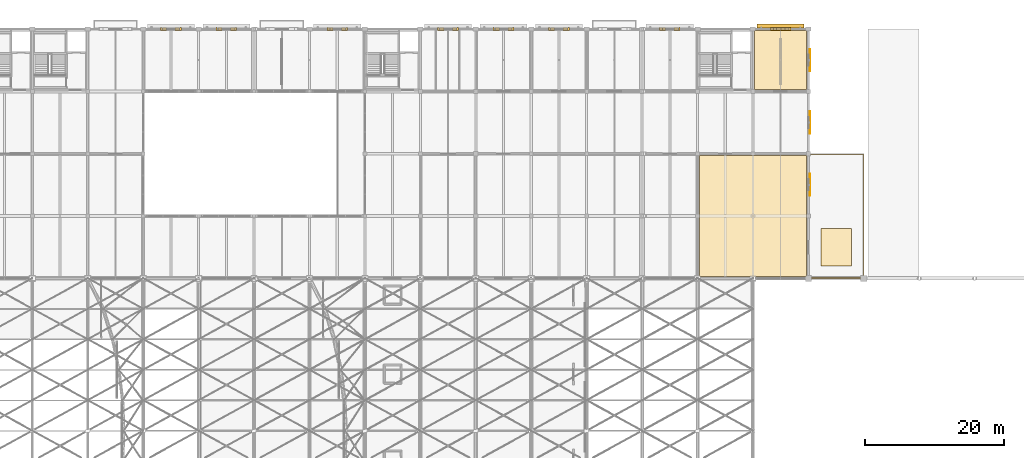
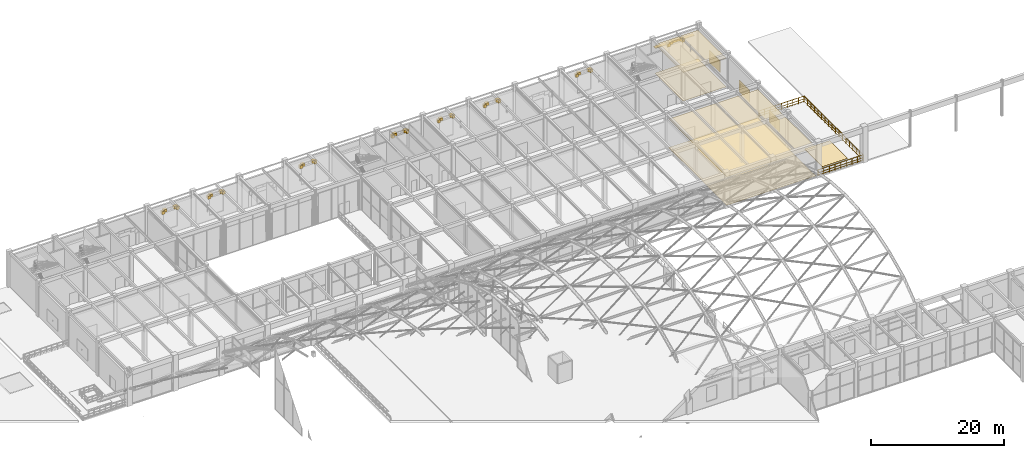
# One storey, part 163 of 163: 39 coverings, 4 shading devices, 1 railing.
"""IFC4 building model written with IfcOpenShell, lengths in metres."""

from ifc_helpers import new_model, si_unit, direction, frame, origin, origin_2d, place, context, subcontext, project, spatial, polyline, rectangle, circle, outline, extrude, material, layer, layer_set, type_object, element, save


model = new_model("IFC4")

# Units and contexts
model_context = context("Model", 3, precision=1e-05, world=origin(), true_north=direction((0.0, 1.0)))
body_context = subcontext(model_context, "Body", "Model", "MODEL_VIEW")
ifc_project = project(units=[si_unit("LENGTHUNIT", "METRE"), si_unit("AREAUNIT", "SQUARE_METRE"), si_unit("VOLUMEUNIT", "CUBIC_METRE"), si_unit("PLANEANGLEUNIT", "RADIAN"), si_unit("MASSUNIT", "GRAM", prefix="KILO")], contexts=[model_context])

# Site, building, storey
site_placement = place(None, origin())
site = spatial("IfcSite", under=ifc_project, at=site_placement, CompositionType="ELEMENT")
building_placement = place(site_placement, origin())
building = spatial("IfcBuilding", under=site, at=building_placement, Name="Varnabhumi Central Station", CompositionType="ELEMENT")
storey_placement = place(building_placement, frame((0.0, 0.0, 9.60009765625)))
storey = spatial("IfcBuildingStorey", under=building, at=storey_placement, Name="L02", CompositionType="ELEMENT", Elevation=9.60009765625)

# Coverings
ifc_material_1 = material(Name="Mineral-fibre acoustic tile")
ifc_layer_1 = layer(ifc_material_1, 0.02490234375, Name="Mineral-fibre acoustic tile")
ifc_layer_set_1 = layer_set([ifc_layer_1], Name="Mineral-fibre acoustic tile")
covering_type_1 = type_object("IfcCoveringType", Name="COV-CEIL-ACOUSTIC", PredefinedType="CEILING", material=ifc_layer_set_1)
covering_1_placement = place(storey_placement, frame((0.0, 0.0, 5.27001953125)))
element("IfcCovering", 1, at=covering_1_placement, inside=storey, type_object=covering_type_1, Name="Passenger Cultural Exhibition and Community Room Acoustic Ceiling", PredefinedType="CEILING", context=body_context, shape_type="SweptSolid", body=[
    extrude(outline(polyline([(136.25, 107.25), (143.75, 107.25), (143.75, 115.75), (136.25, 115.75), (136.25, 107.25)])), origin(), (0.0, 0.0, 1.0), 0.02490234375),
])
covering_2_placement = place(storey_placement, frame((0.0, 0.0, 5.27001953125)))
element("IfcCovering", 2, at=covering_2_placement, inside=storey, type_object=covering_type_1, Name="North General Waiting Hall Acoustic Ceiling", PredefinedType="CEILING", context=body_context, shape_type="SweptSolid", body=[
    extrude(outline(polyline([(128.25, 80.25), (143.75, 80.25), (143.75, 97.75), (128.25, 97.75), (128.25, 80.25)])), origin(), (0.0, 0.0, 1.0), 0.02490234375),
])
ifc_material_2 = material(Name="Vitrified granite stone flooring", Category="masonry")
ifc_layer_2 = layer(ifc_material_2, 0.030029296875, Name="Vitrified granite stone flooring", Category="masonry")
ifc_layer_set_2 = layer_set([ifc_layer_2], Name="Vitrified granite stone flooring")
covering_type_2 = type_object("IfcCoveringType", Name="COV-FLOR-GRANITE", PredefinedType="FLOORING", material=ifc_layer_set_2)
covering_3_placement = place(storey_placement, origin())
element("IfcCovering", 3, at=covering_3_placement, inside=storey, type_object=covering_type_2, Name="Passenger Cultural Exhibition and Community Room Granite Flooring", PredefinedType="FLOORING", context=body_context, shape_type="SweptSolid", body=[
    extrude(outline(polyline([(136.25, 107.25), (143.75, 107.25), (143.75, 115.75), (136.25, 115.75), (136.25, 107.25)])), origin(), (0.0, 0.0, 1.0), 0.02978515625),
])
covering_4_placement = place(storey_placement, origin())
element("IfcCovering", 4, at=covering_4_placement, inside=storey, type_object=covering_type_2, Name="North General Waiting Hall Granite Flooring", PredefinedType="FLOORING", context=body_context, shape_type="SweptSolid", body=[
    extrude(outline(polyline([(128.25, 80.25), (143.75, 80.25), (143.75, 97.75), (128.25, 97.75), (128.25, 80.25)])), origin(), (0.0, 0.0, 1.0), 0.02978515625),
])
ifc_material_3 = material(Name="Modified bitumen waterproofing membrane")
ifc_layer_3 = layer(ifc_material_3, 0.034912109375, Name="Modified bitumen waterproofing membrane")
ifc_layer_set_3 = layer_set([ifc_layer_3], Name="Modified bitumen waterproofing membrane")
covering_type_3 = type_object("IfcCoveringType", Name="COV-ROOF-MEMBRANE", PredefinedType="ROOFING", material=ifc_layer_set_3)
covering_5_placement = place(storey_placement, origin())
element("IfcCovering", 5, at=covering_5_placement, inside=storey, type_object=covering_type_3, Name="Azotea Waterproofing Paver Layer 2", PredefinedType="ROOFING", context=body_context, shape_type="SweptSolid", body=[
    extrude(outline(polyline([(145.800048828125, 81.800048828125), (150.199951171875, 81.800048828125), (150.199951171875, 87.199951171875), (145.800048828125, 87.199951171875), (145.800048828125, 81.800048828125)])), origin(), (0.0, 0.0, 1.0), 0.034912109375),
])
ifc_material_4 = material(Name="Terracotta clay Mission barrel tile", Category="masonry")
ifc_layer_4 = layer(ifc_material_4, 0.02001953125, Name="Terracotta clay Mission barrel tile", Category="masonry")
ifc_layer_set_4 = layer_set([ifc_layer_4], Name="Terracotta clay Mission barrel tile")
covering_type_4 = type_object("IfcCoveringType", Name="COV-WALL-FAIENCE", PredefinedType="CLADDING", material=ifc_layer_set_4)
covering_6_placement = place(storey_placement, frame((50.740478515625, 116.0, 3.9599609375), z_axis=(0.0, 0.0, 1.0), x_axis=(1.0, 0.0, 0.0)))
element("IfcCovering", 6, at=covering_6_placement, inside=storey, type_object=covering_type_4, Name="North Window Arch L02-4 Stone Voussoir 1", PredefinedType="CLADDING", context=body_context, shape_type="SweptSolid", body=[
    extrude(rectangle(XDim=0.469970703125, YDim=0.47998046875, at=origin_2d()), origin(), (0.0, 0.0, 1.0), 0.554931640625),
])
for number, where, z_axis, x_axis, name in (
    (7, (51.077880859375, 116.0, 4.23486328125), (0.0, 0.0, 1.0), (1.0, 0.0, 0.0), "North Window Arch L02-4 Stone Voussoir 2"),
    (8, (52.922119140625, 116.0, 4.23486328125), (0.0, 0.0, 1.0), (1.0, 0.0, 0.0), "North Window Arch L02-4 Stone Voussoir 5"),
):
    element("IfcCovering", number, at=place(storey_placement, frame(where, z_axis=z_axis, x_axis=x_axis)), inside=storey, type_object=covering_type_4, Name=name, PredefinedType="CLADDING", context=body_context, shape_type="SweptSolid", body=[
        extrude(rectangle(XDim=0.614013671875, YDim=0.47998046875, at=origin_2d()), origin(), (0.0, 0.0, 1.0), 0.48095703125),
    ])
for number, where, z_axis, x_axis, name in (
    (9, (53.259521484375, 116.0, 3.9599609375), (0.0, 0.0, 1.0), (1.0, 0.0, 0.0), "North Window Arch L02-4 Stone Voussoir 6"),
    (10, (58.740478515625, 116.0, 3.9599609375), (0.0, 0.0, 1.0), (1.0, 0.0, 0.0), "North Window Arch L02-5 Stone Voussoir 1"),
):
    element("IfcCovering", number, at=place(storey_placement, frame(where, z_axis=z_axis, x_axis=x_axis)), inside=storey, type_object=covering_type_4, Name=name, PredefinedType="CLADDING", context=body_context, shape_type="SweptSolid", body=[
        extrude(rectangle(XDim=0.469970703125, YDim=0.47998046875, at=origin_2d()), origin(), (0.0, 0.0, 1.0), 0.554931640625),
    ])
for number, where, z_axis, x_axis, name in (
    (11, (59.077880859375, 116.0, 4.23486328125), (0.0, 0.0, 1.0), (1.0, 0.0, 0.0), "North Window Arch L02-5 Stone Voussoir 2"),
    (12, (60.922119140625, 116.0, 4.23486328125), (0.0, 0.0, 1.0), (1.0, 0.0, 0.0), "North Window Arch L02-5 Stone Voussoir 5"),
):
    element("IfcCovering", number, at=place(storey_placement, frame(where, z_axis=z_axis, x_axis=x_axis)), inside=storey, type_object=covering_type_4, Name=name, PredefinedType="CLADDING", context=body_context, shape_type="SweptSolid", body=[
        extrude(rectangle(XDim=0.614013671875, YDim=0.47998046875, at=origin_2d()), origin(), (0.0, 0.0, 1.0), 0.48095703125),
    ])
for number, where, z_axis, x_axis, name in (
    (13, (61.259521484375, 116.0, 3.9599609375), (0.0, 0.0, 1.0), (1.0, 0.0, 0.0), "North Window Arch L02-5 Stone Voussoir 6"),
    (14, (74.740478515625, 116.0, 3.9599609375), (0.0, 0.0, 1.0), (1.0, 0.0, 0.0), "North Window Arch L02-7 Stone Voussoir 1"),
):
    element("IfcCovering", number, at=place(storey_placement, frame(where, z_axis=z_axis, x_axis=x_axis)), inside=storey, type_object=covering_type_4, Name=name, PredefinedType="CLADDING", context=body_context, shape_type="SweptSolid", body=[
        extrude(rectangle(XDim=0.469970703125, YDim=0.47998046875, at=origin_2d()), origin(), (0.0, 0.0, 1.0), 0.554931640625),
    ])
for number, where, z_axis, x_axis, name in (
    (15, (75.077880859375, 116.0, 4.23486328125), (0.0, 0.0, 1.0), (1.0, 0.0, 0.0), "North Window Arch L02-7 Stone Voussoir 2"),
    (16, (76.922119140625, 116.0, 4.23486328125), (0.0, 0.0, 1.0), (1.0, 0.0, 0.0), "North Window Arch L02-7 Stone Voussoir 5"),
):
    element("IfcCovering", number, at=place(storey_placement, frame(where, z_axis=z_axis, x_axis=x_axis)), inside=storey, type_object=covering_type_4, Name=name, PredefinedType="CLADDING", context=body_context, shape_type="SweptSolid", body=[
        extrude(rectangle(XDim=0.614013671875, YDim=0.47998046875, at=origin_2d()), origin(), (0.0, 0.0, 1.0), 0.48095703125),
    ])
for number, where, z_axis, x_axis, name in (
    (17, (77.259521484375, 116.0, 3.9599609375), (0.0, 0.0, 1.0), (1.0, 0.0, 0.0), "North Window Arch L02-7 Stone Voussoir 6"),
    (18, (90.740478515625, 116.0, 3.9599609375), (0.0, 0.0, 1.0), (1.0, 0.0, 0.0), "North Window Arch L02-9 Stone Voussoir 1"),
):
    element("IfcCovering", number, at=place(storey_placement, frame(where, z_axis=z_axis, x_axis=x_axis)), inside=storey, type_object=covering_type_4, Name=name, PredefinedType="CLADDING", context=body_context, shape_type="SweptSolid", body=[
        extrude(rectangle(XDim=0.469970703125, YDim=0.47998046875, at=origin_2d()), origin(), (0.0, 0.0, 1.0), 0.554931640625),
    ])
for number, where, z_axis, x_axis, name in (
    (19, (91.077880859375, 116.0, 4.23486328125), (0.0, 0.0, 1.0), (1.0, 0.0, 0.0), "North Window Arch L02-9 Stone Voussoir 2"),
    (20, (92.922119140625, 116.0, 4.23486328125), (0.0, 0.0, 1.0), (1.0, 0.0, 0.0), "North Window Arch L02-9 Stone Voussoir 5"),
):
    element("IfcCovering", number, at=place(storey_placement, frame(where, z_axis=z_axis, x_axis=x_axis)), inside=storey, type_object=covering_type_4, Name=name, PredefinedType="CLADDING", context=body_context, shape_type="SweptSolid", body=[
        extrude(rectangle(XDim=0.614013671875, YDim=0.47998046875, at=origin_2d()), origin(), (0.0, 0.0, 1.0), 0.48095703125),
    ])
for number, where, z_axis, x_axis, name in (
    (21, (93.259521484375, 116.0, 3.9599609375), (0.0, 0.0, 1.0), (1.0, 0.0, 0.0), "North Window Arch L02-9 Stone Voussoir 6"),
    (22, (98.740478515625, 116.0, 3.9599609375), (0.0, 0.0, 1.0), (1.0, 0.0, 0.0), "North Window Arch L02-10 Stone Voussoir 1"),
):
    element("IfcCovering", number, at=place(storey_placement, frame(where, z_axis=z_axis, x_axis=x_axis)), inside=storey, type_object=covering_type_4, Name=name, PredefinedType="CLADDING", context=body_context, shape_type="SweptSolid", body=[
        extrude(rectangle(XDim=0.469970703125, YDim=0.47998046875, at=origin_2d()), origin(), (0.0, 0.0, 1.0), 0.554931640625),
    ])
for number, where, z_axis, x_axis, name in (
    (23, (99.077880859375, 116.0, 4.23486328125), (0.0, 0.0, 1.0), (1.0, 0.0, 0.0), "North Window Arch L02-10 Stone Voussoir 2"),
    (24, (100.922119140625, 116.0, 4.23486328125), (0.0, 0.0, 1.0), (1.0, 0.0, 0.0), "North Window Arch L02-10 Stone Voussoir 5"),
):
    element("IfcCovering", number, at=place(storey_placement, frame(where, z_axis=z_axis, x_axis=x_axis)), inside=storey, type_object=covering_type_4, Name=name, PredefinedType="CLADDING", context=body_context, shape_type="SweptSolid", body=[
        extrude(rectangle(XDim=0.614013671875, YDim=0.47998046875, at=origin_2d()), origin(), (0.0, 0.0, 1.0), 0.48095703125),
    ])
for number, where, z_axis, x_axis, name in (
    (25, (101.259521484375, 116.0, 3.9599609375), (0.0, 0.0, 1.0), (1.0, 0.0, 0.0), "North Window Arch L02-10 Stone Voussoir 6"),
    (26, (106.740478515625, 116.0, 3.9599609375), (0.0, 0.0, 1.0), (1.0, 0.0, 0.0), "North Window Arch L02-11 Stone Voussoir 1"),
):
    element("IfcCovering", number, at=place(storey_placement, frame(where, z_axis=z_axis, x_axis=x_axis)), inside=storey, type_object=covering_type_4, Name=name, PredefinedType="CLADDING", context=body_context, shape_type="SweptSolid", body=[
        extrude(rectangle(XDim=0.469970703125, YDim=0.47998046875, at=origin_2d()), origin(), (0.0, 0.0, 1.0), 0.554931640625),
    ])
for number, where, z_axis, x_axis, name in (
    (27, (107.077880859375, 116.0, 4.23486328125), (0.0, 0.0, 1.0), (1.0, 0.0, 0.0), "North Window Arch L02-11 Stone Voussoir 2"),
    (28, (108.922119140625, 116.0, 4.23486328125), (0.0, 0.0, 1.0), (1.0, 0.0, 0.0), "North Window Arch L02-11 Stone Voussoir 5"),
):
    element("IfcCovering", number, at=place(storey_placement, frame(where, z_axis=z_axis, x_axis=x_axis)), inside=storey, type_object=covering_type_4, Name=name, PredefinedType="CLADDING", context=body_context, shape_type="SweptSolid", body=[
        extrude(rectangle(XDim=0.614013671875, YDim=0.47998046875, at=origin_2d()), origin(), (0.0, 0.0, 1.0), 0.48095703125),
    ])
for number, where, z_axis, x_axis, name in (
    (29, (109.259521484375, 116.0, 3.9599609375), (0.0, 0.0, 1.0), (1.0, 0.0, 0.0), "North Window Arch L02-11 Stone Voussoir 6"),
    (30, (122.740478515625, 116.0, 3.9599609375), (0.0, 0.0, 1.0), (1.0, 0.0, 0.0), "North Window Arch L02-13 Stone Voussoir 1"),
):
    element("IfcCovering", number, at=place(storey_placement, frame(where, z_axis=z_axis, x_axis=x_axis)), inside=storey, type_object=covering_type_4, Name=name, PredefinedType="CLADDING", context=body_context, shape_type="SweptSolid", body=[
        extrude(rectangle(XDim=0.469970703125, YDim=0.47998046875, at=origin_2d()), origin(), (0.0, 0.0, 1.0), 0.554931640625),
    ])
for number, where, z_axis, x_axis, name in (
    (31, (123.077880859375, 116.0, 4.23486328125), (0.0, 0.0, 1.0), (1.0, 0.0, 0.0), "North Window Arch L02-13 Stone Voussoir 2"),
    (32, (124.922119140625, 116.0, 4.23486328125), (0.0, 0.0, 1.0), (1.0, 0.0, 0.0), "North Window Arch L02-13 Stone Voussoir 5"),
):
    element("IfcCovering", number, at=place(storey_placement, frame(where, z_axis=z_axis, x_axis=x_axis)), inside=storey, type_object=covering_type_4, Name=name, PredefinedType="CLADDING", context=body_context, shape_type="SweptSolid", body=[
        extrude(rectangle(XDim=0.614013671875, YDim=0.47998046875, at=origin_2d()), origin(), (0.0, 0.0, 1.0), 0.48095703125),
    ])
for number, where, z_axis, x_axis, name in (
    (33, (125.259521484375, 116.0, 3.9599609375), (0.0, 0.0, 1.0), (1.0, 0.0, 0.0), "North Window Arch L02-13 Stone Voussoir 6"),
    (34, (138.740478515625, 116.0, 3.9599609375), (0.0, 0.0, 1.0), (1.0, 0.0, 0.0), "North Window Arch L02-15 Stone Voussoir 1"),
):
    element("IfcCovering", number, at=place(storey_placement, frame(where, z_axis=z_axis, x_axis=x_axis)), inside=storey, type_object=covering_type_4, Name=name, PredefinedType="CLADDING", context=body_context, shape_type="SweptSolid", body=[
        extrude(rectangle(XDim=0.469970703125, YDim=0.47998046875, at=origin_2d()), origin(), (0.0, 0.0, 1.0), 0.554931640625),
    ])
covering_7_placement = place(storey_placement, frame((139.077880859375, 116.0, 4.23486328125), z_axis=(0.0, 0.0, 1.0), x_axis=(1.0, 0.0, 0.0)))
element("IfcCovering", 35, at=covering_7_placement, inside=storey, type_object=covering_type_4, Name="North Window Arch L02-15 Stone Voussoir 2", PredefinedType="CLADDING", context=body_context, shape_type="SweptSolid", body=[
    extrude(rectangle(XDim=0.614013671875, YDim=0.47998046875, at=origin_2d()), origin(), (0.0, 0.0, 1.0), 0.48095703125),
])
for number, where, z_axis, x_axis, name in (
    (36, (139.66259765625, 116.0, 4.4228515625), (0.0, 0.0, 1.0), (1.0, 0.0, 0.0), "North Window Arch L02-15 Stone Voussoir 3"),
    (37, (140.33740234375, 116.0, 4.4228515625), (0.0, 0.0, 1.0), (1.0, 0.0, 0.0), "North Window Arch L02-15 Stone Voussoir 4"),
):
    element("IfcCovering", number, at=place(storey_placement, frame(where, z_axis=z_axis, x_axis=x_axis)), inside=storey, type_object=covering_type_4, Name=name, PredefinedType="CLADDING", context=body_context, shape_type="SweptSolid", body=[
        extrude(rectangle(XDim=0.794921875, YDim=0.47998046875, at=origin_2d()), origin(), (0.0, 0.0, 1.0), 0.3798828125),
    ])
covering_8_placement = place(storey_placement, frame((140.922119140625, 116.0, 4.23486328125), z_axis=(0.0, 0.0, 1.0), x_axis=(1.0, 0.0, 0.0)))
element("IfcCovering", 38, at=covering_8_placement, inside=storey, type_object=covering_type_4, Name="North Window Arch L02-15 Stone Voussoir 5", PredefinedType="CLADDING", context=body_context, shape_type="SweptSolid", body=[
    extrude(rectangle(XDim=0.614013671875, YDim=0.47998046875, at=origin_2d()), origin(), (0.0, 0.0, 1.0), 0.48095703125),
])
covering_9_placement = place(storey_placement, frame((141.259521484375, 116.0, 3.9599609375), z_axis=(0.0, 0.0, 1.0), x_axis=(1.0, 0.0, 0.0)))
element("IfcCovering", 39, at=covering_9_placement, inside=storey, type_object=covering_type_4, Name="North Window Arch L02-15 Stone Voussoir 6", PredefinedType="CLADDING", context=body_context, shape_type="SweptSolid", body=[
    extrude(rectangle(XDim=0.469970703125, YDim=0.47998046875, at=origin_2d()), origin(), (0.0, 0.0, 1.0), 0.554931640625),
])

# Railing
ifc_material_5 = material(Name="Stainless steel Grade 316", Category="steel")
railing_type = type_object("IfcRailingType", Name="RAIL-BALUST-1150", PredefinedType="BALUSTRADE", material=ifc_material_5)
railing_placement = place(storey_placement, frame((144.050048828125, 80.080078125, 0.0)))
element("IfcRailing", 40, at=railing_placement, inside=storey, type_object=railing_type, Name="Azotea Perimeter Balustrade L02-2", PredefinedType="BALUSTRADE", context=body_context, shape_type="SweptSolid", body=[
    extrude(circle(Radius=0.02392578125, at=origin_2d()), frame((0.0, 0.0, 1.1259765625), z_axis=(1.0, 0.0, 0.0), x_axis=(0.0, 1.0, 0.0)), (0.0, 0.0, 1.0), 7.869873046875),
    extrude(circle(Radius=0.01416015625, at=origin_2d()), frame((0.0, 0.0, 0.597900390625), z_axis=(1.0, 0.0, 0.0), x_axis=(0.0, 1.0, 0.0)), (0.0, 0.0, 1.0), 7.869873046875),
    extrude(circle(Radius=0.01416015625, at=origin_2d()), frame((0.0, 0.0, 0.18408203125), z_axis=(1.0, 0.0, 0.0), x_axis=(0.0, 1.0, 0.0)), (0.0, 0.0, 1.0), 7.869873046875),
    extrude(circle(Radius=0.02392578125, at=origin_2d()), frame((7.869873046875, 0.0, 1.1259765625), z_axis=(0.0, 1.0, 0.0), x_axis=(-1.0, 0.0, 0.0)), (0.0, 0.0, 1.0), 17.83984375),
    extrude(circle(Radius=0.01416015625, at=origin_2d()), frame((7.869873046875, 0.0, 0.597900390625), z_axis=(0.0, 1.0, 0.0), x_axis=(-1.0, 0.0, 0.0)), (0.0, 0.0, 1.0), 17.83984375),
    extrude(circle(Radius=0.01416015625, at=origin_2d()), frame((7.869873046875, 0.0, 0.18408203125), z_axis=(0.0, 1.0, 0.0), x_axis=(-1.0, 0.0, 0.0)), (0.0, 0.0, 1.0), 17.83984375),
    extrude(circle(Radius=0.02392578125, at=origin_2d()), frame((7.869873046875, 17.83984375, 1.1259765625), z_axis=(-1.0, 0.0, 0.0), x_axis=(0.0, -1.0, 0.0)), (0.0, 0.0, 1.0), 7.869873046875),
    extrude(circle(Radius=0.01416015625, at=origin_2d()), frame((7.869873046875, 17.83984375, 0.597900390625), z_axis=(-1.0, 0.0, 0.0), x_axis=(0.0, -1.0, 0.0)), (0.0, 0.0, 1.0), 7.869873046875),
    extrude(circle(Radius=0.01416015625, at=origin_2d()), frame((7.869873046875, 17.83984375, 0.18408203125), z_axis=(-1.0, 0.0, 0.0), x_axis=(0.0, -1.0, 0.0)), (0.0, 0.0, 1.0), 7.869873046875),
    extrude(circle(Radius=0.02099609375, at=origin_2d()), origin(), (0.0, 0.0, 1.0), 1.101806640625),
    extrude(circle(Radius=0.02099609375, at=origin_2d()), frame((0.983642578125, 0.0, 0.0)), (0.0, 0.0, 1.0), 1.101806640625),
    extrude(circle(Radius=0.02099609375, at=origin_2d()), frame((1.967529296875, 0.0, 0.0)), (0.0, 0.0, 1.0), 1.101806640625),
    extrude(circle(Radius=0.02099609375, at=origin_2d()), frame((2.951171875, 0.0, 0.0)), (0.0, 0.0, 1.0), 1.101806640625),
    extrude(circle(Radius=0.02099609375, at=origin_2d()), frame((3.93505859375, 0.0, 0.0)), (0.0, 0.0, 1.0), 1.101806640625),
    extrude(circle(Radius=0.02099609375, at=origin_2d()), frame((4.918701171875, 0.0, 0.0)), (0.0, 0.0, 1.0), 1.101806640625),
    extrude(circle(Radius=0.02099609375, at=origin_2d()), frame((5.90234375, 0.0, 0.0)), (0.0, 0.0, 1.0), 1.101806640625),
    extrude(circle(Radius=0.02099609375, at=origin_2d()), frame((6.88623046875, 0.0, 0.0)), (0.0, 0.0, 1.0), 1.101806640625),
    extrude(circle(Radius=0.02099609375, at=origin_2d()), frame((7.869873046875, 0.0, 0.0)), (0.0, 0.0, 1.0), 1.101806640625),
    extrude(circle(Radius=0.02099609375, at=origin_2d()), frame((7.869873046875, 1.04931640625, 0.0)), (0.0, 0.0, 1.0), 1.101806640625),
    extrude(circle(Radius=0.02099609375, at=origin_2d()), frame((7.869873046875, 2.098876953125, 0.0)), (0.0, 0.0, 1.0), 1.101806640625),
    extrude(circle(Radius=0.02099609375, at=origin_2d()), frame((7.869873046875, 3.148193359375, 0.0)), (0.0, 0.0, 1.0), 1.101806640625),
    extrude(circle(Radius=0.02099609375, at=origin_2d()), frame((7.869873046875, 4.197509765625, 0.0)), (0.0, 0.0, 1.0), 1.101806640625),
    extrude(circle(Radius=0.02099609375, at=origin_2d()), frame((7.869873046875, 5.2470703125, 0.0)), (0.0, 0.0, 1.0), 1.101806640625),
    extrude(circle(Radius=0.02099609375, at=origin_2d()), frame((7.869873046875, 6.29638671875, 0.0)), (0.0, 0.0, 1.0), 1.101806640625),
    extrude(circle(Radius=0.02099609375, at=origin_2d()), frame((7.869873046875, 7.345703125, 0.0)), (0.0, 0.0, 1.0), 1.101806640625),
    extrude(circle(Radius=0.02099609375, at=origin_2d()), frame((7.869873046875, 8.395263671875, 0.0)), (0.0, 0.0, 1.0), 1.101806640625),
    extrude(circle(Radius=0.02099609375, at=origin_2d()), frame((7.869873046875, 9.444580078125, 0.0)), (0.0, 0.0, 1.0), 1.101806640625),
    extrude(circle(Radius=0.02099609375, at=origin_2d()), frame((7.869873046875, 10.494140625, 0.0)), (0.0, 0.0, 1.0), 1.101806640625),
    extrude(circle(Radius=0.02099609375, at=origin_2d()), frame((7.869873046875, 11.54345703125, 0.0)), (0.0, 0.0, 1.0), 1.101806640625),
    extrude(circle(Radius=0.02099609375, at=origin_2d()), frame((7.869873046875, 12.5927734375, 0.0)), (0.0, 0.0, 1.0), 1.101806640625),
    extrude(circle(Radius=0.02099609375, at=origin_2d()), frame((7.869873046875, 13.642333984375, 0.0)), (0.0, 0.0, 1.0), 1.101806640625),
    extrude(circle(Radius=0.02099609375, at=origin_2d()), frame((7.869873046875, 14.691650390625, 0.0)), (0.0, 0.0, 1.0), 1.101806640625),
    extrude(circle(Radius=0.02099609375, at=origin_2d()), frame((7.869873046875, 15.740966796875, 0.0)), (0.0, 0.0, 1.0), 1.101806640625),
    extrude(circle(Radius=0.02099609375, at=origin_2d()), frame((7.869873046875, 16.79052734375, 0.0)), (0.0, 0.0, 1.0), 1.101806640625),
    extrude(circle(Radius=0.02099609375, at=origin_2d()), frame((7.869873046875, 17.83984375, 0.0)), (0.0, 0.0, 1.0), 1.101806640625),
    extrude(circle(Radius=0.02099609375, at=origin_2d()), frame((6.88623046875, 17.83984375, 0.0)), (0.0, 0.0, 1.0), 1.101806640625),
    extrude(circle(Radius=0.02099609375, at=origin_2d()), frame((5.90234375, 17.83984375, 0.0)), (0.0, 0.0, 1.0), 1.101806640625),
    extrude(circle(Radius=0.02099609375, at=origin_2d()), frame((4.918701171875, 17.83984375, 0.0)), (0.0, 0.0, 1.0), 1.101806640625),
    extrude(circle(Radius=0.02099609375, at=origin_2d()), frame((3.93505859375, 17.83984375, 0.0)), (0.0, 0.0, 1.0), 1.101806640625),
    extrude(circle(Radius=0.02099609375, at=origin_2d()), frame((2.951171875, 17.83984375, 0.0)), (0.0, 0.0, 1.0), 1.101806640625),
    extrude(circle(Radius=0.02099609375, at=origin_2d()), frame((1.967529296875, 17.83984375, 0.0)), (0.0, 0.0, 1.0), 1.101806640625),
    extrude(circle(Radius=0.02099609375, at=origin_2d()), frame((0.983642578125, 17.83984375, 0.0)), (0.0, 0.0, 1.0), 1.101806640625),
    extrude(circle(Radius=0.02099609375, at=origin_2d()), frame((0.0, 17.83984375, 0.0)), (0.0, 0.0, 1.0), 1.101806640625),
])

# Shading devices
ifc_layer_5 = layer(ifc_material_4, 0.080078125, Name="Terracotta clay Mission barrel tile", Category="masonry")
ifc_layer_set_5 = layer_set([ifc_layer_5], Name="Terracotta clay Mission barrel tile")
shading_device_type_1 = type_object("IfcShadingDeviceType", Name="SHD-CELOSIA-JALI", PredefinedType="JALOUSIE", material=ifc_layer_set_5)
for number, where, z_axis, x_axis, name in (
    (41, (144.2099609375, 93.5, 0.85009765625), (0.0, 0.0, 1.0), (1.0, 0.0, 0.0), "Terracotta Celosia Screen N-L02-W2"),
    (42, (144.2099609375, 102.5, 0.85009765625), (0.0, 0.0, 1.0), (1.0, 0.0, 0.0), "Terracotta Celosia Screen N-L02-W3"),
    (43, (144.2099609375, 111.5, 0.85009765625), (0.0, 0.0, 1.0), (1.0, 0.0, 0.0), "Terracotta Celosia Screen N-L02-W4"),
):
    element("IfcShadingDevice", number, at=place(storey_placement, frame(where, z_axis=z_axis, x_axis=x_axis)), inside=storey, type_object=shading_device_type_1, Name=name, PredefinedType="JALOUSIE", context=body_context, shape_type="SweptSolid", body=[
        extrude(rectangle(XDim=0.080078125, YDim=3.199951171875, at=origin_2d()), origin(), (0.0, 0.0, 1.0), 2.199951171875),
    ])
ifc_material_6 = material(Name="Precast concrete M45", Category="concrete")
ifc_layer_6 = layer(ifc_material_6, 0.10009765625, Name="Precast concrete M45", Category="concrete")
ifc_layer_set_6 = layer_set([ifc_layer_6], Name="Precast concrete M45")
shading_device_type_2 = type_object("IfcShadingDeviceType", Name="SHD-CHAJJA-600", PredefinedType="AWNING", material=ifc_layer_set_6)
shading_device_placement = place(storey_placement, frame((140.0, 116.449951171875, 4.1298828125), z_axis=(0.0, 0.0, 1.0), x_axis=(1.0, 0.0, 0.0)))
element("IfcShadingDevice", 44, at=shading_device_placement, inside=storey, type_object=shading_device_type_2, Name="Chajja Overhang N-L02-15", PredefinedType="AWNING", context=body_context, shape_type="SweptSolid", body=[
    extrude(rectangle(XDim=6.800048828125, YDim=0.60009765625, at=origin_2d()), origin(), (0.0, 0.0, 1.0), 0.10009765625),
])

save(model, "model.ifc")
